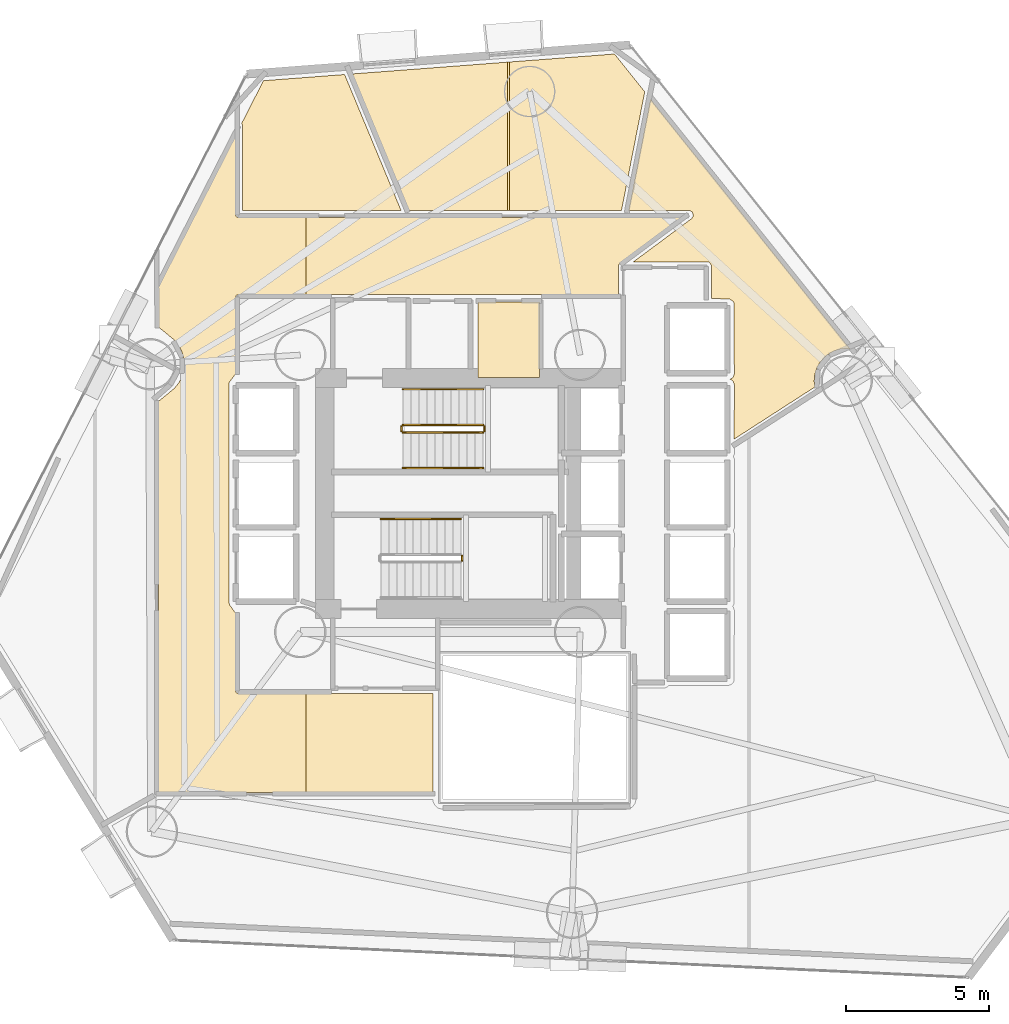
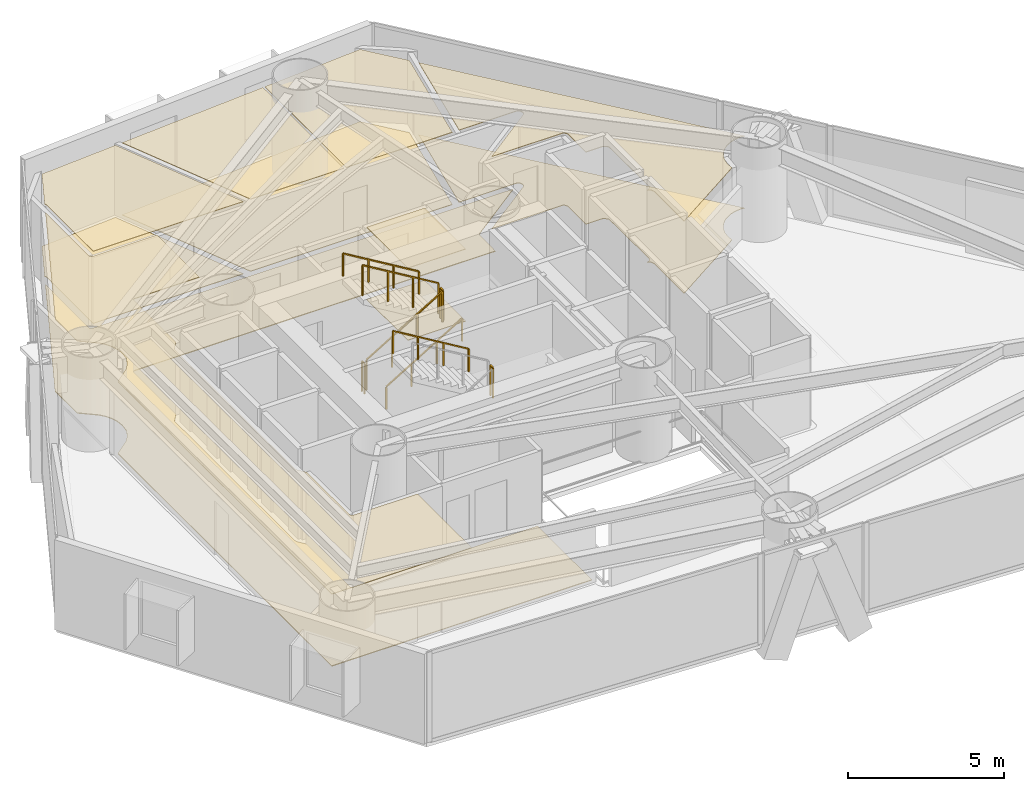
# One storey, part 22 of 23: 11 coverings, 8 railings.
"""IFC4 building model written with IfcOpenShell, lengths in metres."""

from ifc_helpers import new_model, si_unit, direction, frame, origin, origin_2d, place, context, subcontext, project, spatial, polyline, rectangle, outline, extrude, material, layer, layer_set, type_object, element, save


model = new_model("IFC4")

# Units and contexts
model_context = context("Model", 3, precision=1e-05, world=origin(), true_north=direction((0.0, 1.0)))
body_context = subcontext(model_context, "Body", "Model", "MODEL_VIEW")
ifc_project = project(units=[si_unit("LENGTHUNIT", "METRE"), si_unit("AREAUNIT", "SQUARE_METRE"), si_unit("VOLUMEUNIT", "CUBIC_METRE"), si_unit("PLANEANGLEUNIT", "RADIAN"), si_unit("MASSUNIT", "GRAM", prefix="KILO")], contexts=[model_context])

# Site, building, storey
site_placement = place(None, origin())
site = spatial("IfcSite", under=ifc_project, at=site_placement, CompositionType="ELEMENT")
building_placement = place(site_placement, origin())
building = spatial("IfcBuilding", under=site, at=building_placement, Name="Qianvela Tower", CompositionType="ELEMENT")
storey_placement = place(building_placement, frame((0.0, 0.0, 36.800048828125)))
storey = spatial("IfcBuildingStorey", under=building, at=storey_placement, Name="L08", CompositionType="ELEMENT", Elevation=36.800048828125)

# Coverings
ifc_material_1 = material(Name="Perforated Mineral Acoustic Ceiling Tile")
ifc_layer_1 = layer(ifc_material_1, 0.02490234375)
ifc_layer_set_1 = layer_set([ifc_layer_1], Name="Perforated Mineral Acoustic Ceiling Tile")
covering_type_1 = type_object("IfcCoveringType", Name="COV-CEIL-ACOUSTIC-25", PredefinedType="CEILING", material=ifc_layer_set_1)
covering_1_placement = place(storey_placement, frame((0.0, 0.0, 2.81494140625)))
element("IfcCovering", 1, at=covering_1_placement, inside=storey, type_object=covering_type_1, Name="L08 Acoustic Ceiling L08 Core Tea Pantry", PredefinedType="CEILING", context=body_context, shape_type="SweptSolid", body=[
    extrude(outline(polyline([(36.969970703125, 32.760009765625), (34.830078125, 32.760009765625), (34.830078125, 35.39990234375), (36.969970703125, 35.39990234375), (36.969970703125, 32.760009765625)])), origin(), (0.0, 0.0, 1.0), 0.02490234375),
])
covering_2_placement = place(storey_placement, frame((0.0, 0.0, 2.81494140625)))
element("IfcCovering", 2, at=covering_2_placement, inside=storey, type_object=covering_type_1, Name="L08 Acoustic Ceiling Bay 1 L08 Floor Corridor", PredefinedType="CEILING", context=body_context, shape_type="SweptSolid", body=[
    extrude(outline(polyline([(24.514892578125, 33.462158203125), (24.512939453125, 33.4697265625), (24.44921875, 33.6796875), (24.44677734375, 33.687255859375), (24.443359375, 33.6943359375), (24.33984375, 33.887939453125), (24.335693359375, 33.894775390625), (24.3310546875, 33.90087890625), (24.19189453125, 34.07080078125), (24.1865234375, 34.076416015625), (24.1806640625, 34.081787109375), (23.635498046875, 34.529296875), (23.630126953125, 35.9462890625), (26.340087890625, 41.255615234375), (26.340087890625, 38.449951171875), (26.34033203125, 38.442138671875), (26.341552734375, 38.434326171875), (26.343505859375, 38.4267578125), (26.34619140625, 38.41943359375), (26.349365234375, 38.412353515625), (26.353515625, 38.405517578125), (26.358154296875, 38.399169921875), (26.36328125, 38.393310546875), (26.369140625, 38.38818359375), (26.37548828125, 38.383544921875), (26.38232421875, 38.37939453125), (26.389404296875, 38.376220703125), (26.396728515625, 38.373291015625), (26.404296875, 38.37158203125), (26.412109375, 38.370361328125), (26.419921875, 38.3701171875), (28.799560546875, 38.3701171875), (28.799560546875, 35.659912109375), (26.419921875, 35.659912109375), (26.412109375, 35.65966796875), (26.404296875, 35.658447265625), (26.396728515625, 35.656494140625), (26.389404296875, 35.65380859375), (26.38232421875, 35.650634765625), (26.37548828125, 35.646484375), (26.369140625, 35.641845703125), (26.36328125, 35.63671875), (26.358154296875, 35.630859375), (26.353515625, 35.62451171875), (26.349365234375, 35.61767578125), (26.34619140625, 35.610595703125), (26.343505859375, 35.603271484375), (26.341552734375, 35.595703125), (26.34033203125, 35.587890625), (26.340087890625, 35.580078125), (26.340087890625, 32.89599609375), (26.11572265625, 32.593505859375), (26.11181640625, 32.587646484375), (26.108154296875, 32.581298828125), (26.105224609375, 32.574462890625), (26.10302734375, 32.567626953125), (26.101318359375, 32.560546875), (26.100341796875, 32.55322265625), (26.10009765625, 32.5458984375), (26.10009765625, 24.89990234375), (26.100341796875, 24.89208984375), (26.1015625, 24.884521484375), (26.103515625, 24.876708984375), (26.126953125, 24.799072265625), (26.12939453125, 24.79248046875), (26.132080078125, 24.786376953125), (26.135498046875, 24.7802734375), (26.139404296875, 24.774658203125), (26.340087890625, 24.50390625), (26.340087890625, 21.780029296875), (26.34033203125, 21.772216796875), (26.341552734375, 21.764404296875), (26.343505859375, 21.7568359375), (26.34619140625, 21.74951171875), (26.349365234375, 21.7421875), (26.353515625, 21.735595703125), (26.358154296875, 21.729248046875), (26.36328125, 21.723388671875), (26.369140625, 21.71826171875), (26.37548828125, 21.71337890625), (26.38232421875, 21.70947265625), (26.389404296875, 21.7060546875), (26.396728515625, 21.703369140625), (26.404296875, 21.701416015625), (26.412109375, 21.700439453125), (26.419921875, 21.699951171875), (28.799560546875, 21.699951171875), (28.799560546875, 18.22998046875), (23.6298828125, 18.22998046875), (23.6298828125, 31.922119140625), (24.1806640625, 32.374267578125), (24.1865234375, 32.37939453125), (24.19189453125, 32.38525390625), (24.3310546875, 32.554931640625), (24.335693359375, 32.561279296875), (24.33984375, 32.568115234375), (24.49609375, 32.8603515625), (24.49951171875, 32.867431640625), (24.502197265625, 32.875), (24.50390625, 32.882568359375), (24.505126953125, 32.890380859375), (24.53759765625, 33.22021484375), (24.5380859375, 33.22802734375), (24.53759765625, 33.23583984375), (24.51611328125, 33.454345703125), (24.514892578125, 33.462158203125)])), origin(), (0.0, 0.0, 1.0), 0.02490234375),
])
covering_3_placement = place(storey_placement, frame((0.0, 0.0, 2.81494140625)))
element("IfcCovering", 3, at=covering_3_placement, inside=storey, type_object=covering_type_1, Name="L08 Acoustic Ceiling Floor Dining Kitchen L08-03", PredefinedType="CEILING", context=body_context, shape_type="SweptSolid", body=[
    extrude(outline(polyline([(43.640380859375, 32.699951171875), (43.722412109375, 32.739013671875), (43.729248046875, 32.74267578125), (43.73583984375, 32.746826171875), (43.741943359375, 32.751953125), (43.74755859375, 32.757568359375), (43.75244140625, 32.763427734375), (43.7568359375, 32.77001953125), (43.760498046875, 32.777099609375), (43.763427734375, 32.7841796875), (43.79541015625, 32.873046875), (43.79736328125, 32.879638671875), (43.798828125, 32.88671875), (43.7998046875, 32.8935546875), (43.800048828125, 32.900390625), (43.783447265625, 35.366455078125), (43.782958984375, 35.374267578125), (43.78173828125, 35.382080078125), (43.77978515625, 35.3896484375), (43.77734375, 35.39697265625), (43.77392578125, 35.40380859375), (43.77001953125, 35.41064453125), (43.76513671875, 35.4169921875), (43.760009765625, 35.422607421875), (43.754150390625, 35.427978515625), (43.747802734375, 35.4326171875), (43.63818359375, 35.505859375), (43.63134765625, 35.510009765625), (43.62451171875, 35.51318359375), (43.616943359375, 35.515869140625), (43.609375, 35.517822265625), (43.6015625, 35.518798828125), (43.59375, 35.519287109375), (43.0, 35.52001953125), (43.010009765625, 36.6494140625), (43.009765625, 36.6572265625), (43.008544921875, 36.6650390625), (43.006591796875, 36.6728515625), (43.00390625, 36.680419921875), (43.00048828125, 36.6875), (42.99658203125, 36.6943359375), (42.947021484375, 36.768310546875), (42.9423828125, 36.774658203125), (42.937255859375, 36.780517578125), (42.931396484375, 36.78564453125), (42.925048828125, 36.790283203125), (42.91845703125, 36.79443359375), (42.911376953125, 36.7978515625), (42.904052734375, 36.80029296875), (42.896484375, 36.80224609375), (42.888671875, 36.803466796875), (42.880859375, 36.803955078125), (40.26220703125, 36.8095703125), (42.298583984375, 38.321533203125), (42.3046875, 38.32666015625), (42.310302734375, 38.332275390625), (42.315185546875, 38.33837890625), (42.319580078125, 38.34521484375), (42.351318359375, 38.39892578125), (42.35498046875, 38.40576171875), (42.357666015625, 38.41259765625), (42.35986328125, 38.419921875), (42.361328125, 38.42724609375), (42.3623046875, 38.434814453125), (42.3623046875, 38.4423828125), (42.36181640625, 38.449951171875), (42.3603515625, 38.45751953125), (42.3583984375, 38.464599609375), (42.33642578125, 38.53076171875), (42.333740234375, 38.537841796875), (42.330322265625, 38.544677734375), (42.326416015625, 38.551025390625), (42.32177734375, 38.55712890625), (42.316650390625, 38.5625), (42.31103515625, 38.567626953125), (42.304931640625, 38.572265625), (42.298583984375, 38.576171875), (42.291748046875, 38.579345703125), (42.234375, 38.603759765625), (42.226806640625, 38.6064453125), (42.218994140625, 38.6083984375), (42.211181640625, 38.609619140625), (42.203125, 38.610107421875), (40.097412109375, 38.610107421875), (40.86328125, 42.51513671875), (47.855712890625, 33.758056640625), (47.749267578125, 33.77587890625), (47.7421875, 33.77685546875), (47.735107421875, 33.777099609375), (47.728271484375, 33.776611328125), (47.521484375, 33.756103515625), (47.513671875, 33.755126953125), (47.506103515625, 33.753173828125), (47.30712890625, 33.69287109375), (47.2998046875, 33.690185546875), (47.29248046875, 33.68701171875), (47.109375, 33.5888671875), (47.1025390625, 33.5849609375), (47.09619140625, 33.580078125), (46.935791015625, 33.448486328125), (46.929931640625, 33.443115234375), (46.924560546875, 33.437255859375), (46.792724609375, 33.276611328125), (46.7880859375, 33.2705078125), (46.7841796875, 33.263671875), (46.68603515625, 33.080322265625), (46.682861328125, 33.0732421875), (46.68017578125, 33.06591796875), (46.619873046875, 32.866943359375), (46.617919921875, 32.859375), (46.61669921875, 32.8515625), (46.596435546875, 32.644775390625), (46.595947265625, 32.6357421875), (46.5966796875, 32.62646484375), (46.622802734375, 32.4287109375), (43.79541015625, 30.605712890625), (43.800048828125, 32.499755859375), (43.7998046875, 32.506591796875), (43.798828125, 32.513671875), (43.79736328125, 32.520263671875), (43.79541015625, 32.527099609375), (43.763427734375, 32.61572265625), (43.760498046875, 32.623046875), (43.7568359375, 32.6298828125), (43.75244140625, 32.636474609375), (43.74755859375, 32.642578125), (43.741943359375, 32.648193359375), (43.73583984375, 32.653076171875), (43.729248046875, 32.657470703125), (43.722412109375, 32.6611328125), (43.640380859375, 32.699951171875)])), origin(), (0.0, 0.0, 1.0), 0.02490234375),
])
covering_4_placement = place(storey_placement, frame((0.0, 0.0, 2.81494140625)))
element("IfcCovering", 4, at=covering_4_placement, inside=storey, type_object=covering_type_1, Name="L08 Acoustic Ceiling Bay 1 Social Galley Kitchen L08-04", PredefinedType="CEILING", context=body_context, shape_type="SweptSolid", body=[
    extrude(outline(polyline([(35.850830078125, 43.805908203125), (35.850830078125, 38.610107421875), (32.39501953125, 38.610107421875), (30.40869140625, 43.39208984375), (35.850830078125, 43.805908203125)])), origin(), (0.0, 0.0, 1.0), 0.02490234375),
])
covering_5_placement = place(storey_placement, frame((0.0, 0.0, 2.81494140625)))
element("IfcCovering", 5, at=covering_5_placement, inside=storey, type_object=covering_type_1, Name="L08 Acoustic Ceiling Bay 2 Social Galley Kitchen L08-04", PredefinedType="CEILING", context=body_context, shape_type="SweptSolid", body=[
    extrude(outline(polyline([(39.604736328125, 44.091064453125), (40.66357421875, 42.76513671875), (39.8486328125, 38.610107421875), (35.930908203125, 38.610107421875), (35.930908203125, 43.811767578125), (39.604736328125, 44.091064453125)])), origin(), (0.0, 0.0, 1.0), 0.02490234375),
])
covering_6_placement = place(storey_placement, frame((0.0, 0.0, 2.81494140625)))
element("IfcCovering", 6, at=covering_6_placement, inside=storey, type_object=covering_type_1, Name="L08 Acoustic Ceiling Shared Communal Kitchen L08-05", PredefinedType="CEILING", context=body_context, shape_type="SweptSolid", body=[
    extrude(outline(polyline([(26.580078125, 41.588134765625), (26.57958984375, 41.595458984375), (26.57861328125, 41.602783203125), (26.576904296875, 41.60986328125), (26.57470703125, 41.616943359375), (26.57177734375, 41.62353515625), (26.568115234375, 41.6298828125), (26.548095703125, 41.6630859375), (27.310302734375, 43.15673828125), (30.152587890625, 43.372802734375), (32.130615234375, 38.610107421875), (26.580078125, 38.610107421875), (26.580078125, 41.588134765625)])), origin(), (0.0, 0.0, 1.0), 0.02490234375),
])
ifc_material_2 = material(Name="Engineered Acoustic Oak Timber Flooring", Category="wood")
ifc_layer_2 = layer(ifc_material_2, 0.02001953125)
ifc_layer_set_2 = layer_set([ifc_layer_2], Name="Engineered Acoustic Oak Timber Flooring")
covering_type_2 = type_object("IfcCoveringType", Name="COV-FLOOR-OAK-20", PredefinedType="FLOORING", material=ifc_layer_set_2)
covering_7_placement = place(storey_placement, origin())
element("IfcCovering", 7, at=covering_7_placement, inside=storey, type_object=covering_type_2, Name="L08 Finish Flooring L08 Core Tea Pantry", PredefinedType="FLOORING", context=body_context, shape_type="SweptSolid", body=[
    extrude(outline(polyline([(36.969970703125, 32.760009765625), (34.830078125, 32.760009765625), (34.830078125, 35.39990234375), (36.969970703125, 35.39990234375), (36.969970703125, 32.760009765625)])), origin(), (0.0, 0.0, 1.0), 0.02001953125),
])
covering_8_placement = place(storey_placement, origin())
element("IfcCovering", 8, at=covering_8_placement, inside=storey, type_object=covering_type_2, Name="L08 Finish Flooring Floor Dining Kitchen L08-03", PredefinedType="FLOORING", context=body_context, shape_type="SweptSolid", body=[
    extrude(outline(polyline([(43.640380859375, 32.699951171875), (43.722412109375, 32.739013671875), (43.729248046875, 32.74267578125), (43.73583984375, 32.746826171875), (43.741943359375, 32.751953125), (43.74755859375, 32.757568359375), (43.75244140625, 32.763427734375), (43.7568359375, 32.77001953125), (43.760498046875, 32.777099609375), (43.763427734375, 32.7841796875), (43.79541015625, 32.873046875), (43.79736328125, 32.879638671875), (43.798828125, 32.88671875), (43.7998046875, 32.8935546875), (43.800048828125, 32.900390625), (43.783447265625, 35.366455078125), (43.782958984375, 35.374267578125), (43.78173828125, 35.382080078125), (43.77978515625, 35.3896484375), (43.77734375, 35.39697265625), (43.77392578125, 35.40380859375), (43.77001953125, 35.41064453125), (43.76513671875, 35.4169921875), (43.760009765625, 35.422607421875), (43.754150390625, 35.427978515625), (43.747802734375, 35.4326171875), (43.63818359375, 35.505859375), (43.63134765625, 35.510009765625), (43.62451171875, 35.51318359375), (43.616943359375, 35.515869140625), (43.609375, 35.517822265625), (43.6015625, 35.518798828125), (43.59375, 35.519287109375), (43.0, 35.52001953125), (43.010009765625, 36.6494140625), (43.009765625, 36.6572265625), (43.008544921875, 36.6650390625), (43.006591796875, 36.6728515625), (43.00390625, 36.680419921875), (43.00048828125, 36.6875), (42.99658203125, 36.6943359375), (42.947021484375, 36.768310546875), (42.9423828125, 36.774658203125), (42.937255859375, 36.780517578125), (42.931396484375, 36.78564453125), (42.925048828125, 36.790283203125), (42.91845703125, 36.79443359375), (42.911376953125, 36.7978515625), (42.904052734375, 36.80029296875), (42.896484375, 36.80224609375), (42.888671875, 36.803466796875), (42.880859375, 36.803955078125), (40.26220703125, 36.8095703125), (42.298583984375, 38.321533203125), (42.3046875, 38.32666015625), (42.310302734375, 38.332275390625), (42.315185546875, 38.33837890625), (42.319580078125, 38.34521484375), (42.351318359375, 38.39892578125), (42.35498046875, 38.40576171875), (42.357666015625, 38.41259765625), (42.35986328125, 38.419921875), (42.361328125, 38.42724609375), (42.3623046875, 38.434814453125), (42.3623046875, 38.4423828125), (42.36181640625, 38.449951171875), (42.3603515625, 38.45751953125), (42.3583984375, 38.464599609375), (42.33642578125, 38.53076171875), (42.333740234375, 38.537841796875), (42.330322265625, 38.544677734375), (42.326416015625, 38.551025390625), (42.32177734375, 38.55712890625), (42.316650390625, 38.5625), (42.31103515625, 38.567626953125), (42.304931640625, 38.572265625), (42.298583984375, 38.576171875), (42.291748046875, 38.579345703125), (42.234375, 38.603759765625), (42.226806640625, 38.6064453125), (42.218994140625, 38.6083984375), (42.211181640625, 38.609619140625), (42.203125, 38.610107421875), (40.097412109375, 38.610107421875), (40.86328125, 42.51513671875), (47.855712890625, 33.758056640625), (47.749267578125, 33.77587890625), (47.7421875, 33.77685546875), (47.735107421875, 33.777099609375), (47.728271484375, 33.776611328125), (47.521484375, 33.756103515625), (47.513671875, 33.755126953125), (47.506103515625, 33.753173828125), (47.30712890625, 33.69287109375), (47.2998046875, 33.690185546875), (47.29248046875, 33.68701171875), (47.109375, 33.5888671875), (47.1025390625, 33.5849609375), (47.09619140625, 33.580078125), (46.935791015625, 33.448486328125), (46.929931640625, 33.443115234375), (46.924560546875, 33.437255859375), (46.792724609375, 33.276611328125), (46.7880859375, 33.2705078125), (46.7841796875, 33.263671875), (46.68603515625, 33.080322265625), (46.682861328125, 33.0732421875), (46.68017578125, 33.06591796875), (46.619873046875, 32.866943359375), (46.617919921875, 32.859375), (46.61669921875, 32.8515625), (46.596435546875, 32.644775390625), (46.595947265625, 32.6357421875), (46.5966796875, 32.62646484375), (46.622802734375, 32.4287109375), (43.79541015625, 30.605712890625), (43.800048828125, 32.499755859375), (43.7998046875, 32.506591796875), (43.798828125, 32.513671875), (43.79736328125, 32.520263671875), (43.79541015625, 32.527099609375), (43.763427734375, 32.61572265625), (43.760498046875, 32.623046875), (43.7568359375, 32.6298828125), (43.75244140625, 32.636474609375), (43.74755859375, 32.642578125), (43.741943359375, 32.648193359375), (43.73583984375, 32.653076171875), (43.729248046875, 32.657470703125), (43.722412109375, 32.6611328125), (43.640380859375, 32.699951171875)])), origin(), (0.0, 0.0, 1.0), 0.02001953125),
])
covering_9_placement = place(storey_placement, origin())
element("IfcCovering", 9, at=covering_9_placement, inside=storey, type_object=covering_type_2, Name="L08 Finish Flooring Social Galley Kitchen L08-04", PredefinedType="FLOORING", context=body_context, shape_type="SweptSolid", body=[
    extrude(outline(polyline([(30.40869140625, 43.39208984375), (39.604736328125, 44.091064453125), (40.66357421875, 42.76513671875), (39.8486328125, 38.610107421875), (32.39501953125, 38.610107421875), (30.40869140625, 43.39208984375)])), origin(), (0.0, 0.0, 1.0), 0.02001953125),
])
covering_10_placement = place(storey_placement, origin())
element("IfcCovering", 10, at=covering_10_placement, inside=storey, type_object=covering_type_2, Name="L08 Finish Flooring Shared Communal Kitchen L08-05", PredefinedType="FLOORING", context=body_context, shape_type="SweptSolid", body=[
    extrude(outline(polyline([(26.580078125, 41.588134765625), (26.57958984375, 41.595458984375), (26.57861328125, 41.602783203125), (26.576904296875, 41.60986328125), (26.57470703125, 41.616943359375), (26.57177734375, 41.62353515625), (26.568115234375, 41.6298828125), (26.548095703125, 41.6630859375), (27.310302734375, 43.15673828125), (30.152587890625, 43.372802734375), (32.130615234375, 38.610107421875), (26.580078125, 38.610107421875), (26.580078125, 41.588134765625)])), origin(), (0.0, 0.0, 1.0), 0.02001953125),
])
ifc_material_3 = material(Name="Honed Stone Terrazzo Flooring", Category="masonry")
ifc_layer_3 = layer(ifc_material_3, 0.030029296875)
ifc_layer_set_3 = layer_set([ifc_layer_3], Name="Honed Stone Terrazzo Flooring")
covering_type_3 = type_object("IfcCoveringType", Name="COV-FLOOR-TERRAZZO-30", PredefinedType="FLOORING", material=ifc_layer_set_3)
covering_11_placement = place(storey_placement, origin())
element("IfcCovering", 11, at=covering_11_placement, inside=storey, type_object=covering_type_3, Name="L08 Finish Flooring L08 Floor Corridor", PredefinedType="FLOORING", context=body_context, shape_type="SweptSolid", body=[
    extrude(outline(polyline([(24.51611328125, 33.454345703125), (24.514892578125, 33.462158203125), (24.512939453125, 33.4697265625), (24.44921875, 33.6796875), (24.44677734375, 33.687255859375), (24.443359375, 33.6943359375), (24.33984375, 33.887939453125), (24.335693359375, 33.894775390625), (24.3310546875, 33.90087890625), (24.19189453125, 34.07080078125), (24.1865234375, 34.076416015625), (24.1806640625, 34.081787109375), (23.635498046875, 34.529296875), (23.630126953125, 35.9462890625), (26.340087890625, 41.255615234375), (26.340087890625, 38.449951171875), (26.34033203125, 38.442138671875), (26.341552734375, 38.434326171875), (26.343505859375, 38.4267578125), (26.34619140625, 38.41943359375), (26.349365234375, 38.412353515625), (26.353515625, 38.405517578125), (26.358154296875, 38.399169921875), (26.36328125, 38.393310546875), (26.369140625, 38.38818359375), (26.37548828125, 38.383544921875), (26.38232421875, 38.37939453125), (26.389404296875, 38.376220703125), (26.396728515625, 38.373291015625), (26.404296875, 38.37158203125), (26.412109375, 38.370361328125), (26.419921875, 38.3701171875), (41.961181640625, 38.3701171875), (39.784423828125, 36.753662109375), (39.778076171875, 36.748291015625), (39.772216796875, 36.742431640625), (39.76708984375, 36.736083984375), (39.7626953125, 36.729248046875), (39.759033203125, 36.721923828125), (39.756103515625, 36.71435546875), (39.75390625, 36.70654296875), (39.752685546875, 36.698486328125), (39.752197265625, 36.690185546875), (39.739013671875, 35.659912109375), (26.419921875, 35.659912109375), (26.412109375, 35.65966796875), (26.404296875, 35.658447265625), (26.396728515625, 35.656494140625), (26.389404296875, 35.65380859375), (26.38232421875, 35.650634765625), (26.37548828125, 35.646484375), (26.369140625, 35.641845703125), (26.36328125, 35.63671875), (26.358154296875, 35.630859375), (26.353515625, 35.62451171875), (26.349365234375, 35.61767578125), (26.34619140625, 35.610595703125), (26.343505859375, 35.603271484375), (26.341552734375, 35.595703125), (26.34033203125, 35.587890625), (26.340087890625, 35.580078125), (26.340087890625, 32.89599609375), (26.11572265625, 32.593505859375), (26.11181640625, 32.587646484375), (26.108154296875, 32.581298828125), (26.105224609375, 32.574462890625), (26.10302734375, 32.567626953125), (26.101318359375, 32.560546875), (26.100341796875, 32.55322265625), (26.10009765625, 32.5458984375), (26.10009765625, 24.89990234375), (26.100341796875, 24.89208984375), (26.1015625, 24.884521484375), (26.103515625, 24.876708984375), (26.126953125, 24.799072265625), (26.12939453125, 24.79248046875), (26.132080078125, 24.786376953125), (26.135498046875, 24.7802734375), (26.139404296875, 24.774658203125), (26.340087890625, 24.50390625), (26.340087890625, 21.780029296875), (26.34033203125, 21.772216796875), (26.341552734375, 21.764404296875), (26.343505859375, 21.7568359375), (26.34619140625, 21.74951171875), (26.349365234375, 21.7421875), (26.353515625, 21.735595703125), (26.358154296875, 21.729248046875), (26.36328125, 21.723388671875), (26.369140625, 21.71826171875), (26.37548828125, 21.71337890625), (26.38232421875, 21.70947265625), (26.389404296875, 21.7060546875), (26.396728515625, 21.703369140625), (26.404296875, 21.701416015625), (26.412109375, 21.700439453125), (26.419921875, 21.699951171875), (33.239990234375, 21.699951171875), (33.239990234375, 18.22998046875), (23.6298828125, 18.22998046875), (23.6298828125, 31.922119140625), (24.1806640625, 32.374267578125), (24.1865234375, 32.37939453125), (24.19189453125, 32.38525390625), (24.3310546875, 32.554931640625), (24.335693359375, 32.561279296875), (24.33984375, 32.568115234375), (24.49609375, 32.8603515625), (24.49951171875, 32.867431640625), (24.502197265625, 32.875), (24.50390625, 32.882568359375), (24.505126953125, 32.890380859375), (24.53759765625, 33.22021484375), (24.5380859375, 33.22802734375), (24.53759765625, 33.23583984375), (24.51611328125, 33.454345703125)])), origin(), (0.0, 0.0, 1.0), 0.030029296875),
])

# Railings
ifc_material_4 = material(Name="Painted Tubular Steel Q355B", Category="steel")
railing_type_1 = type_object("IfcRailingType", Name="RL-STAIR-GUARD-1200", PredefinedType="GUARDRAIL", material=ifc_material_4)
railing_1_placement = place(storey_placement, frame((32.199951171875, 30.840087890625, 0.168212890625)))
element("IfcRailing", 12, at=railing_1_placement, inside=storey, type_object=railing_type_1, Name="L08 ST-1 stair guard 1", PredefinedType="GUARDRAIL", context=body_context, shape_type="SweptSolid", body=[
    extrude(rectangle(XDim=0.050048828125, YDim=0.0400390625, at=origin_2d()), frame((0.0, 0.0, 1.179931640625), z_axis=(0.857275202839, 0.0, 0.514858452973), x_axis=(0.0, 1.0, 0.0)), (0.0, 0.0, 1.0), 3.26611328125),
    extrude(rectangle(XDim=0.050048828125, YDim=0.050048828125, at=origin_2d()), origin(), (0.0, 0.0, 1.0), 1.159912109375),
    extrude(rectangle(XDim=0.050048828125, YDim=0.050048828125, at=origin_2d()), frame((0.933349609375, 0.0, 0.560546875)), (0.0, 0.0, 1.0), 1.159912109375),
    extrude(rectangle(XDim=0.050048828125, YDim=0.050048828125, at=origin_2d()), frame((1.86669921875, 0.0, 1.12109375)), (0.0, 0.0, 1.0), 1.159912109375),
    extrude(rectangle(XDim=0.050048828125, YDim=0.050048828125, at=origin_2d()), frame((2.800048828125, 0.0, 1.681640625)), (0.0, 0.0, 1.0), 1.159912109375),
])
railing_2_placement = place(storey_placement, frame((35.050048828125, 30.889892578125, 1.849853515625)))
element("IfcRailing", 13, at=railing_2_placement, inside=storey, type_object=railing_type_1, Name="L08 ST-1 stair guard 2", PredefinedType="GUARDRAIL", context=body_context, shape_type="SweptSolid", body=[
    extrude(rectangle(XDim=0.050048828125, YDim=0.0400390625, at=origin_2d()), frame((0.0, 0.0, 1.179931640625), z_axis=(0.0, 1.0, 0.0), x_axis=(-1.0, 0.0, 0.0)), (0.0, 0.0, 1.0), 0.16015625),
    extrude(rectangle(XDim=0.050048828125, YDim=0.050048828125, at=origin_2d()), origin(), (0.0, 0.0, 1.0), 1.159912109375),
    extrude(rectangle(XDim=0.050048828125, YDim=0.050048828125, at=origin_2d()), frame((0.0, 0.16015625, 0.0)), (0.0, 0.0, 1.0), 1.159912109375),
])
railing_3_placement = place(storey_placement, frame((35.0, 31.10009765625, 2.01806640625)))
element("IfcRailing", 14, at=railing_3_placement, inside=storey, type_object=railing_type_1, Name="L08 ST-1 stair guard 3", PredefinedType="GUARDRAIL", context=body_context, shape_type="SweptSolid", body=[
    extrude(rectangle(XDim=0.050048828125, YDim=0.0400390625, at=origin_2d()), frame((0.0, 0.0, 1.179931640625), z_axis=(-0.857242210791, 0.0, 0.514913383045), x_axis=(0.0, -1.0, 0.0)), (0.0, 0.0, 1.0), 3.266357421875),
    extrude(rectangle(XDim=0.050048828125, YDim=0.050048828125, at=origin_2d()), origin(), (0.0, 0.0, 1.0), 1.159912109375),
    extrude(rectangle(XDim=0.050048828125, YDim=0.050048828125, at=origin_2d()), frame((-0.933349609375, 0.0, 0.560546875)), (0.0, 0.0, 1.0), 1.159912109375),
    extrude(rectangle(XDim=0.050048828125, YDim=0.050048828125, at=origin_2d()), frame((-1.86669921875, 0.0, 1.121337890625)), (0.0, 0.0, 1.0), 1.159912109375),
    extrude(rectangle(XDim=0.050048828125, YDim=0.050048828125, at=origin_2d()), frame((-2.800048828125, 0.0, 1.681884765625)), (0.0, 0.0, 1.0), 1.159912109375),
])
railing_4_placement = place(storey_placement, frame((32.14990234375, 30.889892578125, 0.0)))
element("IfcRailing", 15, at=railing_4_placement, inside=storey, type_object=railing_type_1, Name="L08 ST-1 stair guard 4", PredefinedType="GUARDRAIL", context=body_context, shape_type="SweptSolid", body=[
    extrude(rectangle(XDim=0.050048828125, YDim=0.0400390625, at=origin_2d()), frame((0.0, 0.0, 1.179931640625), z_axis=(0.0, 1.0, 0.0), x_axis=(-1.0, 0.0, 0.0)), (0.0, 0.0, 1.0), 0.16015625),
    extrude(rectangle(XDim=0.050048828125, YDim=0.050048828125, at=origin_2d()), origin(), (0.0, 0.0, 1.0), 1.159912109375),
    extrude(rectangle(XDim=0.050048828125, YDim=0.050048828125, at=origin_2d()), frame((0.0, 0.16015625, 0.0)), (0.0, 0.0, 1.0), 1.159912109375),
])
railing_5_placement = place(storey_placement, frame((34.27001953125, 26.35009765625, 1.849853515625)))
element("IfcRailing", 16, at=railing_5_placement, inside=storey, type_object=railing_type_1, Name="L08 ST-2 stair guard 2", PredefinedType="GUARDRAIL", context=body_context, shape_type="SweptSolid", body=[
    extrude(rectangle(XDim=0.050048828125, YDim=0.0400390625, at=origin_2d()), frame((0.0, 0.0, 1.179931640625), z_axis=(0.0, 1.0, 0.0), x_axis=(-1.0, 0.0, 0.0)), (0.0, 0.0, 1.0), 0.159912109375),
    extrude(rectangle(XDim=0.050048828125, YDim=0.050048828125, at=origin_2d()), origin(), (0.0, 0.0, 1.0), 1.159912109375),
    extrude(rectangle(XDim=0.050048828125, YDim=0.050048828125, at=origin_2d()), frame((0.0, 0.159912109375, 0.0)), (0.0, 0.0, 1.0), 1.159912109375),
])
ifc_material_5 = material(Name="Brushed Stainless Steel 304", Category="steel")
railing_type_2 = type_object("IfcRailingType", Name="RL-STAIR-HANDRAIL-900", PredefinedType="HANDRAIL", material=ifc_material_5)
railing_6_placement = place(storey_placement, frame((32.199951171875, 29.590087890625, 0.168212890625)))
element("IfcRailing", 17, at=railing_6_placement, inside=storey, type_object=railing_type_2, Name="L08 ST-1 stair handrail 1", PredefinedType="HANDRAIL", context=body_context, shape_type="SweptSolid", body=[
    extrude(rectangle(XDim=0.050048828125, YDim=0.0400390625, at=origin_2d()), frame((0.0, 0.0, 0.8798828125), z_axis=(0.857275202839, 0.0, 0.514858452973), x_axis=(0.0, 1.0, 0.0)), (0.0, 0.0, 1.0), 3.26611328125),
    extrude(rectangle(XDim=0.050048828125, YDim=0.050048828125, at=origin_2d()), origin(), (0.0, 0.0, 1.0), 0.85986328125),
    extrude(rectangle(XDim=0.050048828125, YDim=0.050048828125, at=origin_2d()), frame((0.933349609375, 0.0, 0.560546875)), (0.0, 0.0, 1.0), 0.85986328125),
    extrude(rectangle(XDim=0.050048828125, YDim=0.050048828125, at=origin_2d()), frame((1.86669921875, 0.0, 1.12109375)), (0.0, 0.0, 1.0), 0.85986328125),
    extrude(rectangle(XDim=0.050048828125, YDim=0.050048828125, at=origin_2d()), frame((2.800048828125, 0.0, 1.681640625)), (0.0, 0.0, 1.0), 0.85986328125),
])
for number, where, name in (
    (18, (35.0, 32.35009765625, 2.01806640625), "L08 ST-1 stair handrail 2"),
    (19, (34.219970703125, 27.81005859375, 2.01806640625), "L08 ST-2 stair handrail 2"),
):
    element("IfcRailing", number, at=place(storey_placement, frame(where)), inside=storey, type_object=railing_type_2, Name=name, PredefinedType="HANDRAIL", context=body_context, shape_type="SweptSolid", body=[
        extrude(rectangle(XDim=0.050048828125, YDim=0.0400390625, at=origin_2d()), frame((0.0, 0.0, 0.8798828125), z_axis=(-0.857242210791, 0.0, 0.514913383045), x_axis=(0.0, -1.0, 0.0)), (0.0, 0.0, 1.0), 3.266357421875),
        extrude(rectangle(XDim=0.050048828125, YDim=0.050048828125, at=origin_2d()), origin(), (0.0, 0.0, 1.0), 0.85986328125),
        extrude(rectangle(XDim=0.050048828125, YDim=0.050048828125, at=origin_2d()), frame((-0.933349609375, 0.0, 0.560546875)), (0.0, 0.0, 1.0), 0.85986328125),
        extrude(rectangle(XDim=0.050048828125, YDim=0.050048828125, at=origin_2d()), frame((-1.86669921875, 0.0, 1.121337890625)), (0.0, 0.0, 1.0), 0.85986328125),
        extrude(rectangle(XDim=0.050048828125, YDim=0.050048828125, at=origin_2d()), frame((-2.800048828125, 0.0, 1.681884765625)), (0.0, 0.0, 1.0), 0.85986328125),
    ])

save(model, "model.ifc")
